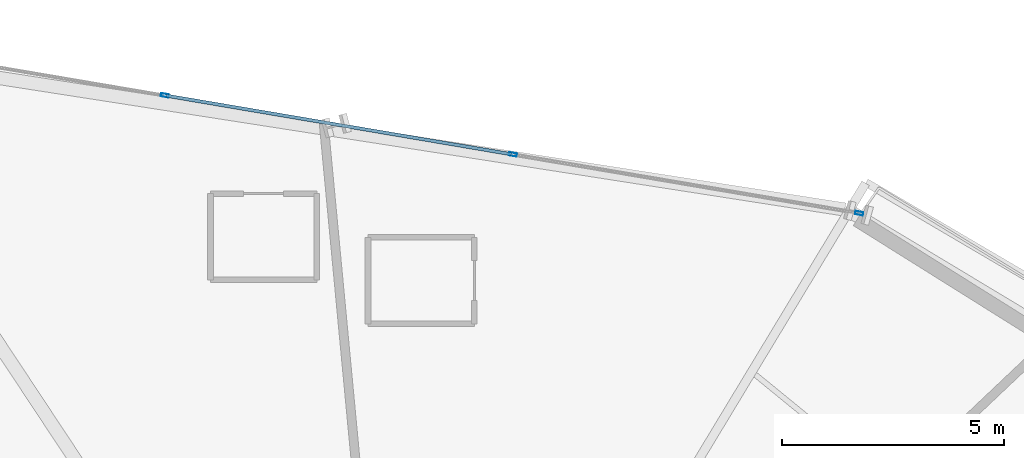
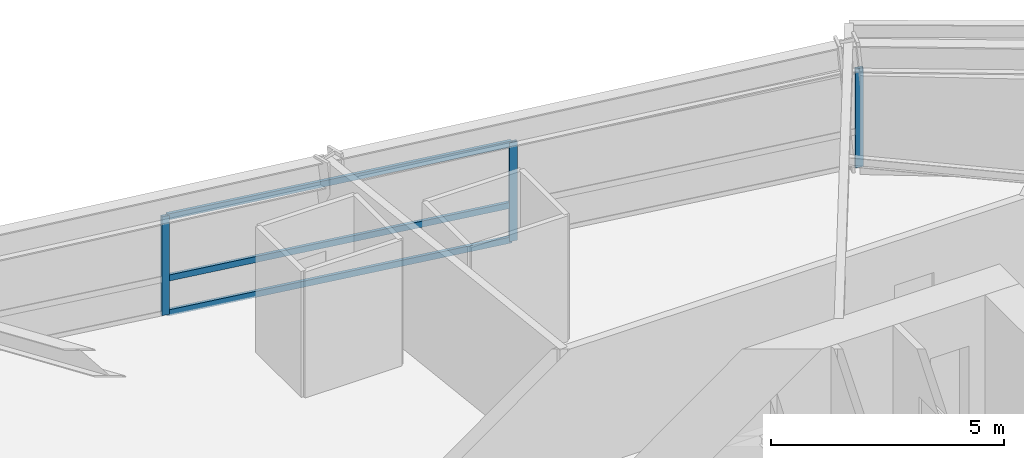
# One storey, part 10 of 21: 6 members, 1 element without a shape of its own.
"""IFC4 building model written with IfcOpenShell, lengths in metres."""

import ifcopenshell
import ifcopenshell.guid

model = None  # the IFC model being written
_history = None  # IfcOwnerHistory: only IFC2X3 demands one
_inside = {}  # id of a spatial element -> (the spatial element, [elements in it])
_under = {}  # id of a project, library or spatial element -> (it, [spatial elements below it])
_declared = {}  # id of a project -> (the project, [libraries it declares])
_typed = {}  # id of a type object -> (the type object, [elements of that type])
_made_of = {}  # id of a material, layer set ... -> (it, [elements and type objects made of it])


def new_model(schema):
    """Start an empty IFC model of exactly this schema.

    Asked for "IFC4X3", IfcOpenShell would pick the latest addendum, in which some entities
    have other attributes; the version numbers below select the first issue.
    IFC2X3 requires an IfcOwnerHistory on every rooted entity: one is made here for all.
    """
    global model, _history
    if schema == "IFC4X3":
        model = ifcopenshell.file(schema_version=(4, 3, 0, 0))
    else:
        model = ifcopenshell.file(schema=schema)
    _inside.clear()
    _under.clear()
    _declared.clear()
    _typed.clear()
    _made_of.clear()
    _history = None
    if model.schema == "IFC2X3":
        org = make("IfcOrganization", Name="unknown")
        user = make(
            "IfcPersonAndOrganization",
            ThePerson=make("IfcPerson", FamilyName="unknown"),
            TheOrganization=org,
        )
        app = make(
            "IfcApplication",
            ApplicationDeveloper=org,
            Version="unknown",
            ApplicationFullName="unknown",
            ApplicationIdentifier="unknown",
        )
        _history = make(
            "IfcOwnerHistory",
            OwningUser=user,
            OwningApplication=app,
            ChangeAction="ADDED",
            CreationDate=0,
        )
    return model


def make(cls, **values):
    """One entity of the class cls with the attributes given. An attribute that is None is left unset."""
    return model.create_entity(
        cls, **{name: value for name, value in values.items() if value is not None}
    )


def rooted(cls, **values):
    """An entity with a GlobalId (a new one), such as an element, a storey or a relation."""
    return make(cls, GlobalId=ifcopenshell.guid.new(), OwnerHistory=_history, **values)


def si_unit(unit_type, name, prefix=None):
    """IfcSIUnit, for example si_unit("LENGTHUNIT", "METRE", prefix="MILLI")."""
    return make("IfcSIUnit", UnitType=unit_type, Prefix=prefix, Name=name)


def assignment(units):
    """IfcUnitAssignment: the units of a project."""
    return None if units is None else make("IfcUnitAssignment", Units=units)


def point(xyz):
    """IfcCartesianPoint."""
    return None if xyz is None else make("IfcCartesianPoint", Coordinates=xyz)


def direction(xyz):
    """IfcDirection."""
    return None if xyz is None else make("IfcDirection", DirectionRatios=xyz)


def frame(location, z_axis=None, x_axis=None):
    """IfcAxis2Placement3D, a coordinate frame: its origin and axes. An axis left out is left unset."""
    return make(
        "IfcAxis2Placement3D",
        Location=point(location),
        Axis=direction(z_axis),
        RefDirection=direction(x_axis),
    )


def frame_2d(location, x_axis=None):
    """IfcAxis2Placement2D, a coordinate frame in the plane: its origin and x axis."""
    return make(
        "IfcAxis2Placement2D", Location=point(location), RefDirection=direction(x_axis)
    )


def origin():
    """The frame at (0, 0, 0) with its axes left unset."""
    return frame((0.0, 0.0, 0.0))


def origin_2d():
    """The frame at (0, 0) in the plane with its x axis left unset."""
    return frame_2d((0.0, 0.0))


def place(relative_to, where):
    """IfcLocalPlacement: puts the frame where relative to a parent placement (None: the world)."""
    return make(
        "IfcLocalPlacement", PlacementRelTo=relative_to, RelativePlacement=where
    )


def context(
    kind, dimensions, precision=None, world=None, true_north=None, identifier=None
):
    """IfcGeometricRepresentationContext, for example the 3D "Model" context."""
    return make(
        "IfcGeometricRepresentationContext",
        ContextIdentifier=identifier,
        ContextType=kind,
        CoordinateSpaceDimension=dimensions,
        Precision=precision,
        WorldCoordinateSystem=world,
        TrueNorth=true_north,
    )


def subcontext(parent, identifier, kind, view, scale=None):
    """IfcGeometricRepresentationSubContext, for example "Body" below "Model"."""
    return make(
        "IfcGeometricRepresentationSubContext",
        ContextIdentifier=identifier,
        ContextType=kind,
        ParentContext=parent,
        TargetScale=scale,
        TargetView=view,
    )


def project(units=None, contexts=None):
    """IfcProject with its units and contexts."""
    return rooted(
        "IfcProject",
        Name="project",
        RepresentationContexts=contexts,
        UnitsInContext=assignment(units),
    )


def spatial(cls, under=None, at=None, **own):
    """A site, building, storey or space (cls), placed at a placement, below another one or the project."""
    s = rooted(cls, ObjectPlacement=at, **own)
    if under is not None:
        _under.setdefault(under.id(), (under, []))[1].append(s)
    return s


def profile(cls, at=None, kind="AREA", **sizes):
    """A parametric profile (cls). Its sizes go by their IFC names, for example OverallWidth=200.0."""
    return make(cls, ProfileType=kind, Position=at, **sizes)


def hollow_rectangle(**sizes):
    """IfcRectangleHollowProfileDef."""
    return profile("IfcRectangleHollowProfileDef", **sizes)


def extrude(swept, where, along, depth):
    """IfcExtrudedAreaSolid: the profile swept, set in the frame where, extruded along a direction by depth."""
    return make(
        "IfcExtrudedAreaSolid",
        SweptArea=swept,
        Position=where,
        ExtrudedDirection=direction(along),
        Depth=depth,
    )


def shape(context_of_items, identifier, shape_type, items):
    """IfcShapeRepresentation: the items that make up one representation, for example the "Body"."""
    return make(
        "IfcShapeRepresentation",
        ContextOfItems=context_of_items,
        RepresentationIdentifier=identifier,
        RepresentationType=shape_type,
        Items=items,
    )


def source(mapping_origin, context_of_items, identifier, shape_type, items):
    """IfcRepresentationMap: a shape defined once, which mapped items show again and again."""
    return make(
        "IfcRepresentationMap",
        MappingOrigin=mapping_origin,
        MappedRepresentation=shape(context_of_items, identifier, shape_type, items),
    )


def transform(
    local_origin,
    x_axis=None,
    y_axis=None,
    z_axis=None,
    scale=None,
    scale2=None,
    scale3=None,
    uniform=True,
):
    """IfcCartesianTransformationOperator3D, or its non-uniform kind. x_axis, y_axis, z_axis: its Axis1, 2, 3."""
    if uniform:
        return make(
            "IfcCartesianTransformationOperator3D",
            Axis1=direction(x_axis),
            Axis2=direction(y_axis),
            LocalOrigin=point(local_origin),
            Scale=scale,
            Axis3=direction(z_axis),
        )
    return make(
        "IfcCartesianTransformationOperator3DnonUniform",
        Axis1=direction(x_axis),
        Axis2=direction(y_axis),
        LocalOrigin=point(local_origin),
        Scale=scale,
        Axis3=direction(z_axis),
        Scale2=scale2,
        Scale3=scale3,
    )


def mapped(mapping_source, mapping_target):
    """IfcMappedItem: shows the shape of a source again, moved by a transform."""
    return make(
        "IfcMappedItem", MappingSource=mapping_source, MappingTarget=mapping_target
    )


def material(Name=None, Category=None):
    """IfcMaterial."""
    return make("IfcMaterial", Name=Name, Category=Category)


def material_profile(
    of_material, cross_section, Name=None, Category=None, Priority=None
):
    """IfcMaterialProfile: a cross section and its material."""
    return make(
        "IfcMaterialProfile",
        Name=Name,
        Material=of_material,
        Profile=cross_section,
        Priority=Priority,
        Category=Category,
    )


def profile_set(profiles, Name=None, composite=None):
    """IfcMaterialProfileSet."""
    return make(
        "IfcMaterialProfileSet",
        Name=Name,
        MaterialProfiles=profiles,
        CompositeProfile=composite,
    )


def made_of(thing, what):
    """Note that an element or type object is made of a material, layer set ...; save() writes the relation."""
    if what is not None:
        _made_of.setdefault(what.id(), (what, []))[1].append(thing)
    return thing


def type_object(cls, material=None, **own):
    """A type object (cls), such as IfcWallType, which elements share."""
    return made_of(rooted(cls, **own), material)


def element(
    cls,
    number,
    at=None,
    inside=None,
    cuts=None,
    type_object=None,
    material=None,
    context=None,
    identifier="Body",
    shape_type=None,
    held_by="IfcProductDefinitionShape",
    body=None,
    shapes=None,
    **own,
):
    """One element of the class cls, such as IfcWall. Its Tag is "e" and its number.

    at: its placement. inside: the storey or other place that contains it. cuts: it is an
    opening in that element (IfcRelVoidsElement). A single representation is given by context,
    identifier, shape_type and body (its items); several are given by shapes. held_by: the class
    of the entity that holds the representations. save() writes the other relations.
    """
    e = rooted(cls, Tag="e%d" % number, ObjectPlacement=at, **own)
    if body is not None:
        shapes = [shape(context, identifier, shape_type, body)]
    if shapes is not None:
        e.Representation = make(held_by, Representations=shapes)
    if inside is not None:
        _inside.setdefault(inside.id(), (inside, []))[1].append(e)
    if cuts is not None:
        rooted(
            "IfcRelVoidsElement", RelatingBuildingElement=cuts, RelatedOpeningElement=e
        )
    if type_object is not None:
        _typed.setdefault(type_object.id(), (type_object, []))[1].append(e)
    return made_of(e, material)


def aggregate(whole, parts):
    """IfcRelAggregates: a whole, such as a stair, and the parts it consists of."""
    return rooted("IfcRelAggregates", RelatingObject=whole, RelatedObjects=parts)


def save(model, path):
    """Write the relations noted so far, then the file.

    IfcRelAggregates (storeys below a building ...), IfcRelContainedInSpatialStructure (elements
    in a storey), IfcRelDefinesByType, IfcRelAssociatesMaterial and IfcRelDeclares: one each for
    every whole, place, type object, material and project.
    """
    for whole, parts in _under.values():
        aggregate(whole, parts)
    for where, things in _inside.values():
        rooted(
            "IfcRelContainedInSpatialStructure",
            RelatedElements=things,
            RelatingStructure=where,
        )
    for kind, things in _typed.values():
        rooted("IfcRelDefinesByType", RelatedObjects=things, RelatingType=kind)
    for what, things in _made_of.values():
        rooted("IfcRelAssociatesMaterial", RelatedObjects=things, RelatingMaterial=what)
    for by, libraries in _declared.values():
        rooted("IfcRelDeclares", RelatingContext=by, RelatedDefinitions=libraries)
    model.write(path)


model = new_model("IFC4")

# Units and contexts
model_context = context("Model", 3, precision=1e-05, world=origin(), true_north=direction((0.0, 1.0)))
body_context = subcontext(model_context, "Body", "Model", "MODEL_VIEW")
ifc_project = project(units=[si_unit("LENGTHUNIT", "METRE"), si_unit("AREAUNIT", "SQUARE_METRE"), si_unit("VOLUMEUNIT", "CUBIC_METRE"), si_unit("PLANEANGLEUNIT", "RADIAN"), si_unit("MASSUNIT", "GRAM", prefix="KILO")], contexts=[model_context])

# Site, building, storey
site_placement = place(None, origin())
site = spatial("IfcSite", under=ifc_project, at=site_placement, CompositionType="ELEMENT")
building_placement = place(site_placement, origin())
building = spatial("IfcBuilding", under=site, at=building_placement, Name="Olszyna Solenne Hotel", CompositionType="ELEMENT")
storey_placement = place(building_placement, frame((0.0, 0.0, 47.050048828125)))
storey = spatial("IfcBuildingStorey", under=building, at=storey_placement, Name="L11", CompositionType="ELEMENT", Elevation=47.050048828125)

# Curtain wall, members
ifc_material = material(Name="Anodised bronze aluminium", Category="aluminium")
curtain_wall_type = type_object("IfcCurtainWallType", Name="CW-SYS-2", PredefinedType="NOTDEFINED", material=ifc_material)
curtain_wall_placement = place(storey_placement, origin())
curtain_wall = element("IfcCurtainWall", 1, at=curtain_wall_placement, inside=storey, type_object=curtain_wall_type, Name="Unitised curtain wall CW-SYS-2 CW-L11-02", PredefinedType="NOTDEFINED")
ifc_material_profile_1 = material_profile(ifc_material, hollow_rectangle(XDim=0.074951171875, YDim=0.179931640625, WallThickness=0.00439453125, at=origin_2d()), Name="MULL 180x75x4.5", Category="load-bearing")
ifc_profile_set_1 = profile_set([ifc_material_profile_1], Name="Anodised bronze aluminium")
member_type_1 = type_object("IfcMemberType", Name="CW-M2", PredefinedType="MULLION", material=ifc_profile_set_1)
shared_shape_1 = source(origin(), body_context, "Body", "SweptSolid", [
    extrude(hollow_rectangle(XDim=0.074951171875, YDim=0.179931640625, WallThickness=0.00439453125, at=origin_2d()), origin(), (0.0, 0.0, 1.0), 2.592041015625),
])
member_1_placement = place(storey_placement, frame((32.642578125, 45.96533203125, 0.0), z_axis=(0.0, 0.0, 1.0), x_axis=(0.167319932978, 0.98590265241, 0.0)))
member_1 = element("IfcMember", 2, at=member_1_placement, type_object=member_type_1, Name="Curtain-wall mullion CW-M2 CM-L11-02-02", PredefinedType="MULLION", context=body_context, shape_type="MappedRepresentation", body=[
    mapped(shared_shape_1, transform((0.0, 0.0, 0.0), x_axis=(1.0, 0.0, 0.0), y_axis=(0.0, 1.0, 0.0), z_axis=(0.0, 0.0, 1.0), scale=1.0)),
])
member_2_placement = place(storey_placement, frame((40.496826171875, 44.63232421875, 0.0), z_axis=(0.0, 0.0, 1.0), x_axis=(0.167319932978, 0.98590265241, 0.0)))
member_2 = element("IfcMember", 3, at=member_2_placement, type_object=member_type_1, Name="Curtain-wall mullion CW-M2 CM-L11-02-03", PredefinedType="MULLION", context=body_context, shape_type="MappedRepresentation", body=[
    mapped(shared_shape_1, transform((0.0, 0.0, 0.0), x_axis=(1.0, 0.0, 0.0), y_axis=(0.0, 1.0, 0.0), z_axis=(0.0, 0.0, 1.0), scale=1.0)),
])
member_3_placement = place(storey_placement, frame((48.31396484375, 43.3056640625, 0.0), z_axis=(0.0, 0.0, 1.0), x_axis=(0.167319932978, 0.98590265241, 0.0)))
member_3 = element("IfcMember", 4, at=member_3_placement, type_object=member_type_1, Name="Curtain-wall mullion CW-M2 CM-L11-02-04", PredefinedType="MULLION", context=body_context, shape_type="MappedRepresentation", body=[
    mapped(shared_shape_1, transform((0.0, 0.0, 0.0), x_axis=(1.0, 0.0, 0.0), y_axis=(0.0, 1.0, 0.0), z_axis=(0.0, 0.0, 1.0), scale=1.0)),
])
ifc_material_profile_2 = material_profile(ifc_material, hollow_rectangle(XDim=0.074951171875, YDim=0.159912109375, WallThickness=0.00390625, at=origin_2d()), Name="TRAN 160x75x4", Category="load-bearing")
ifc_profile_set_2 = profile_set([ifc_material_profile_2], Name="Anodised bronze aluminium")
member_type_2 = type_object("IfcMemberType", Name="CW-T1", PredefinedType="USERDEFINED", material=ifc_profile_set_2)
shared_shape_2 = source(origin(), body_context, "Body", "SweptSolid", [
    extrude(hollow_rectangle(XDim=0.074951171875, YDim=0.159912109375, WallThickness=0.00390625, at=origin_2d()), origin(), (0.0, 0.0, 1.0), 7.8916015625),
])
member_4_placement = place(storey_placement, frame((32.679443359375, 45.958984375, 0.037353515625), z_axis=(0.985904671547, -0.167308035136, 0.0), x_axis=(0.167308035136, 0.985904671547, 0.0)))
member_4 = element("IfcMember", 5, at=member_4_placement, type_object=member_type_2, Name="Curtain-wall transom CW-T1 CT-L11-02-04", ObjectType="TRANSOM", PredefinedType="USERDEFINED", context=body_context, shape_type="MappedRepresentation", body=[
    mapped(shared_shape_2, transform((0.0, 0.0, 0.0), x_axis=(1.0, 0.0, 0.0), y_axis=(0.0, 1.0, 0.0), z_axis=(0.0, 0.0, 1.0), scale=1.0)),
])
member_5_placement = place(storey_placement, frame((32.679443359375, 45.958984375, 0.949951171875), z_axis=(0.985904671547, -0.167308035136, 0.0), x_axis=(0.167308035136, 0.985904671547, 0.0)))
member_5 = element("IfcMember", 6, at=member_5_placement, type_object=member_type_2, Name="Curtain-wall transom CW-T1 CT-L11-02-05", ObjectType="TRANSOM", PredefinedType="USERDEFINED", context=body_context, shape_type="MappedRepresentation", body=[
    mapped(shared_shape_2, transform((0.0, 0.0, 0.0), x_axis=(1.0, 0.0, 0.0), y_axis=(0.0, 1.0, 0.0), z_axis=(0.0, 0.0, 1.0), scale=1.0)),
])
member_6_placement = place(storey_placement, frame((32.679443359375, 45.958984375, 2.554443359375), z_axis=(0.985904671547, -0.167308035136, 0.0), x_axis=(0.167308035136, 0.985904671547, 0.0)))
member_6 = element("IfcMember", 7, at=member_6_placement, type_object=member_type_2, Name="Curtain-wall transom CW-T1 CT-L11-02-06", ObjectType="TRANSOM", PredefinedType="USERDEFINED", context=body_context, shape_type="MappedRepresentation", body=[
    mapped(shared_shape_2, transform((0.0, 0.0, 0.0), x_axis=(1.0, 0.0, 0.0), y_axis=(0.0, 1.0, 0.0), z_axis=(0.0, 0.0, 1.0), scale=1.0)),
])
aggregate(curtain_wall, [member_1, member_2, member_3, member_4, member_5, member_6])

save(model, "model.ifc")
